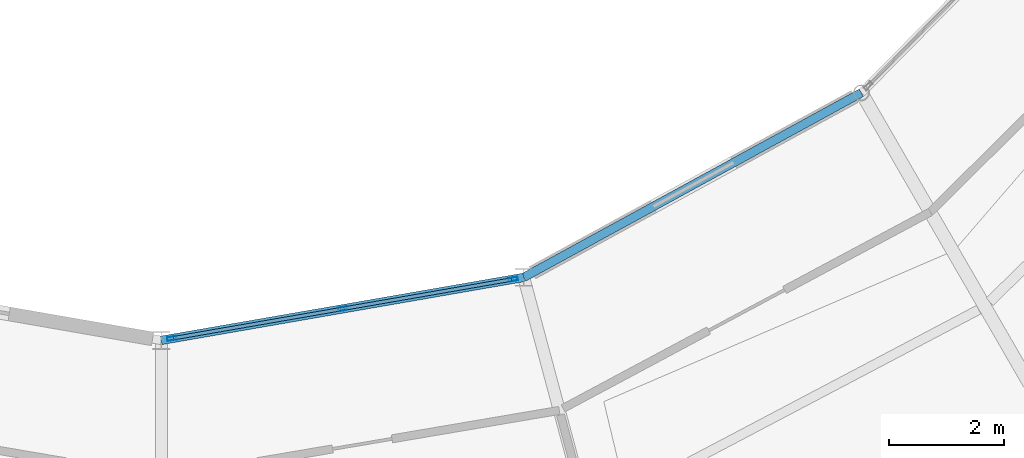
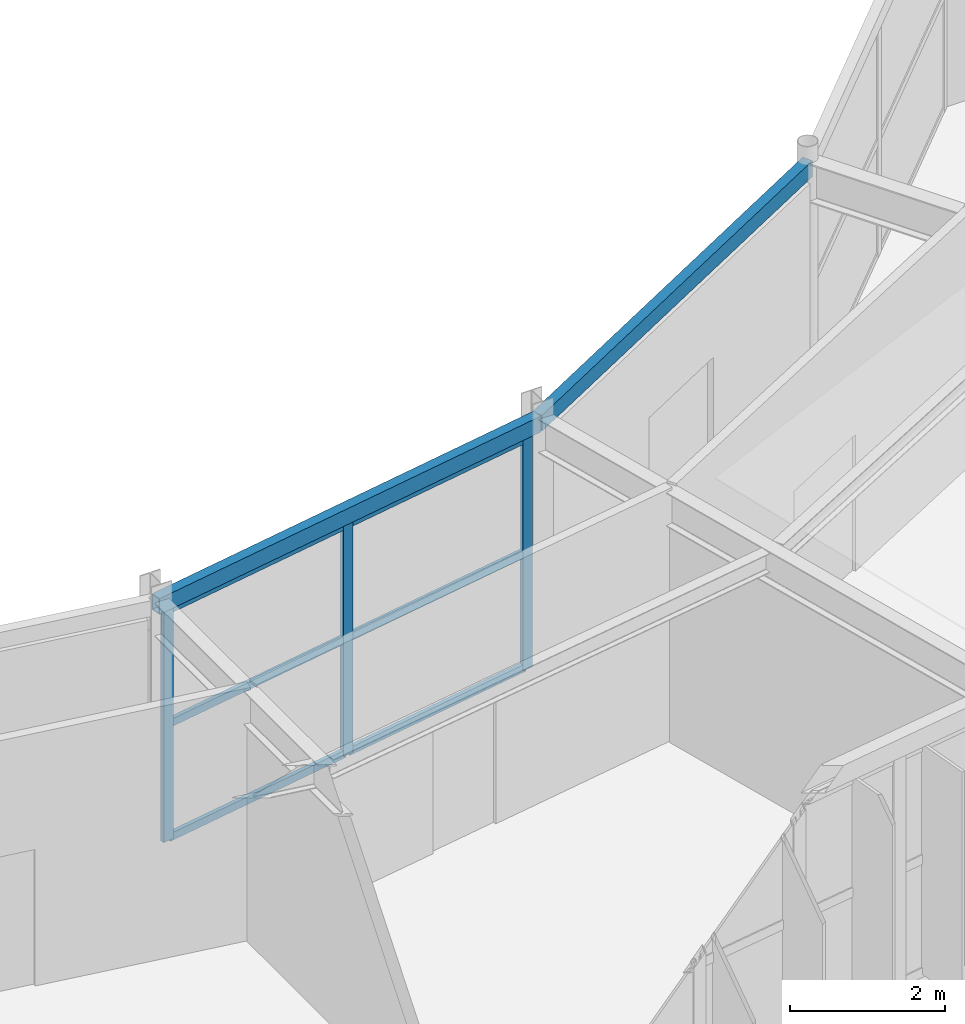
# One storey, part 50 of 148: 9 members, 2 beams, 1 element without a shape of its own.
"""IFC4 building model written with IfcOpenShell, lengths in metres."""

from ifc_helpers import new_model, si_unit, direction, frame, origin, origin_2d, place, context, subcontext, project, spatial, hollow_rectangle, extrude, material, material_profile, profile_set, type_object, element, aggregate, save


model = new_model("IFC4")

# Units and contexts
model_context = context("Model", 3, precision=1e-05, world=origin(), true_north=direction((0.0, 1.0)))
body_context = subcontext(model_context, "Body", "Model", "MODEL_VIEW")
ifc_project = project(units=[si_unit("LENGTHUNIT", "METRE"), si_unit("AREAUNIT", "SQUARE_METRE"), si_unit("VOLUMEUNIT", "CUBIC_METRE"), si_unit("PLANEANGLEUNIT", "RADIAN"), si_unit("MASSUNIT", "GRAM", prefix="KILO")], contexts=[model_context])

# Site, building, storey
site_placement = place(None, origin())
site = spatial("IfcSite", under=ifc_project, at=site_placement, CompositionType="ELEMENT")
building_placement = place(site_placement, origin())
building = spatial("IfcBuilding", under=site, at=building_placement, Name="Karori Crest Natural Sciences Institute", CompositionType="ELEMENT")
storey_placement = place(building_placement, frame((0.0, 0.0, 4.89990234375)))
storey = spatial("IfcBuildingStorey", under=building, at=storey_placement, Name="L01", CompositionType="ELEMENT", Elevation=4.89990234375)

# Beams
ifc_material_1 = material(Name="Hollow structural steel AS/NZS 1163 Grade C350", Category="steel")
ifc_material_profile_1 = material_profile(ifc_material_1, hollow_rectangle(XDim=0.14990234375, YDim=0.25, WallThickness=0.009033203125, at=origin_2d()), Name="RHS250x150x9")
ifc_profile_set_1 = profile_set([ifc_material_profile_1], Name="Hollow structural steel AS/NZS 1163 Grade C350")
beam_type = type_object("IfcBeamType", Name="BT-16", PredefinedType="SPANDREL", material=ifc_profile_set_1)
beam_1_placement = place(storey_placement, frame((66.39990234375, 17.699951171875, 3.7900390625), z_axis=(0.985241372425, 0.17117078624, 0.0), x_axis=(-0.17117078624, 0.985241372425, 0.0)))
element("IfcBeam", 1, at=beam_1_placement, inside=storey, type_object=beam_type, Name="Beam B-0249", PredefinedType="SPANDREL", context=body_context, shape_type="SweptSolid", body=[
    extrude(hollow_rectangle(XDim=0.14990234375, YDim=0.25, WallThickness=0.009033203125, at=origin_2d()), origin(), (0.0, 0.0, 1.0), 6.40966796875),
])
beam_2_placement = place(storey_placement, frame((72.715087890625, 18.797119140625, 3.7900390625), z_axis=(0.877469531616, 0.47963238119, 0.0), x_axis=(-0.47963238119, 0.877469531616, 0.0)))
element("IfcBeam", 2, at=beam_2_placement, inside=storey, type_object=beam_type, Name="Beam B-0253", PredefinedType="SPANDREL", context=body_context, shape_type="SweptSolid", body=[
    extrude(hollow_rectangle(XDim=0.14990234375, YDim=0.25, WallThickness=0.009033203125, at=origin_2d()), origin(), (0.0, 0.0, 1.0), 6.706787109375),
])

# Curtain wall, members
ifc_material_2 = material(Name="Anodised architectural aluminium 6063-T6", Category="aluminium")
curtain_wall_type = type_object("IfcCurtainWallType", Name="CWT-14", PredefinedType="NOTDEFINED", material=ifc_material_2)
curtain_wall_placement = place(storey_placement, origin())
curtain_wall = element("IfcCurtainWall", 3, at=curtain_wall_placement, inside=storey, type_object=curtain_wall_type, Name="Curtain wall CW-0057", PredefinedType="NOTDEFINED")
ifc_material_profile_2 = material_profile(ifc_material_2, hollow_rectangle(XDim=0.06494140625, YDim=0.159912109375, WallThickness=0.00390625, at=origin_2d()), Name="CWM160x65x4")
ifc_profile_set_2 = profile_set([ifc_material_profile_2], Name="Anodised architectural aluminium 6063-T6")
member_type_1 = type_object("IfcMemberType", Name="CWM-01", PredefinedType="MULLION", material=ifc_profile_set_2)
member_1_placement = place(storey_placement, frame((66.58349609375, 17.73193359375, 0.0), z_axis=(0.0, 0.0, 1.0), x_axis=(-0.171170381048, 0.985241442821, 0.0)))
member_1 = element("IfcMember", 4, at=member_1_placement, type_object=member_type_1, Name="CW-0057 mullion 1", PredefinedType="MULLION", context=body_context, shape_type="SweptSolid", body=[
    extrude(hollow_rectangle(XDim=0.06494140625, YDim=0.159912109375, WallThickness=0.00390625, at=origin_2d()), origin(), (0.0, 0.0, 1.0), 3.650146484375),
])
member_2_placement = place(storey_placement, frame((69.55810546875, 18.24853515625, 0.0), z_axis=(0.0, 0.0, 1.0), x_axis=(-0.171170381048, 0.985241442821, 0.0)))
member_2 = element("IfcMember", 5, at=member_2_placement, type_object=member_type_1, Name="CW-0057 mullion 2", PredefinedType="MULLION", context=body_context, shape_type="SweptSolid", body=[
    extrude(hollow_rectangle(XDim=0.06494140625, YDim=0.159912109375, WallThickness=0.00390625, at=origin_2d()), origin(), (0.0, 0.0, 1.0), 3.650146484375),
])
member_3_placement = place(storey_placement, frame((72.53271484375, 18.765380859375, 0.0), z_axis=(0.0, 0.0, 1.0), x_axis=(-0.171170381048, 0.985241442821, 0.0)))
member_3 = element("IfcMember", 6, at=member_3_placement, type_object=member_type_1, Name="CW-0057 mullion 3", PredefinedType="MULLION", context=body_context, shape_type="SweptSolid", body=[
    extrude(hollow_rectangle(XDim=0.06494140625, YDim=0.159912109375, WallThickness=0.00390625, at=origin_2d()), origin(), (0.0, 0.0, 1.0), 3.650146484375),
])
ifc_material_profile_3 = material_profile(ifc_material_2, hollow_rectangle(XDim=0.06005859375, YDim=0.1201171875, WallThickness=0.00390625, at=origin_2d()), Name="CWT120x60x4")
ifc_profile_set_3 = profile_set([ifc_material_profile_3], Name="Anodised architectural aluminium 6063-T6")
member_type_2 = type_object("IfcMemberType", Name="CWT-TR1", PredefinedType="USERDEFINED", material=ifc_profile_set_3)
member_4_placement = place(storey_placement, frame((66.615478515625, 17.7373046875, 0.030029296875), z_axis=(0.985231157469, 0.171229572075, 0.0), x_axis=(-0.171229572075, 0.985231157469, 0.0)))
member_4 = element("IfcMember", 7, at=member_4_placement, type_object=member_type_2, Name="CW-0057 transom 1.1", ObjectType="TRANSOM", PredefinedType="USERDEFINED", context=body_context, shape_type="SweptSolid", body=[
    extrude(hollow_rectangle(XDim=0.06005859375, YDim=0.1201171875, WallThickness=0.00390625, at=origin_2d()), origin(), (0.0, 0.0, 1.0), 2.954345703125),
])
member_5_placement = place(storey_placement, frame((66.615478515625, 17.7373046875, 1.8251953125), z_axis=(0.985231157469, 0.171229572075, 0.0), x_axis=(-0.171229572075, 0.985231157469, 0.0)))
member_5 = element("IfcMember", 8, at=member_5_placement, type_object=member_type_2, Name="CW-0057 transom 1.2", ObjectType="TRANSOM", PredefinedType="USERDEFINED", context=body_context, shape_type="SweptSolid", body=[
    extrude(hollow_rectangle(XDim=0.06005859375, YDim=0.1201171875, WallThickness=0.00390625, at=origin_2d()), origin(), (0.0, 0.0, 1.0), 2.954345703125),
])
member_6_placement = place(storey_placement, frame((66.615478515625, 17.7373046875, 3.6201171875), z_axis=(0.985231157469, 0.171229572075, 0.0), x_axis=(-0.171229572075, 0.985231157469, 0.0)))
member_6 = element("IfcMember", 9, at=member_6_placement, type_object=member_type_2, Name="CW-0057 transom 1.3", ObjectType="TRANSOM", PredefinedType="USERDEFINED", context=body_context, shape_type="SweptSolid", body=[
    extrude(hollow_rectangle(XDim=0.06005859375, YDim=0.1201171875, WallThickness=0.00390625, at=origin_2d()), origin(), (0.0, 0.0, 1.0), 2.954345703125),
])
member_7_placement = place(storey_placement, frame((69.590087890625, 18.254150390625, 0.030029296875), z_axis=(0.985245095786, 0.171149353579, 0.0), x_axis=(-0.171149353579, 0.985245095786, 0.0)))
member_7 = element("IfcMember", 10, at=member_7_placement, type_object=member_type_2, Name="CW-0057 transom 2.1", ObjectType="TRANSOM", PredefinedType="USERDEFINED", context=body_context, shape_type="SweptSolid", body=[
    extrude(hollow_rectangle(XDim=0.06005859375, YDim=0.1201171875, WallThickness=0.00390625, at=origin_2d()), origin(), (0.0, 0.0, 1.0), 2.954345703125),
])
member_8_placement = place(storey_placement, frame((69.590087890625, 18.254150390625, 1.8251953125), z_axis=(0.985245095786, 0.171149353579, 0.0), x_axis=(-0.171149353579, 0.985245095786, 0.0)))
member_8 = element("IfcMember", 11, at=member_8_placement, type_object=member_type_2, Name="CW-0057 transom 2.2", ObjectType="TRANSOM", PredefinedType="USERDEFINED", context=body_context, shape_type="SweptSolid", body=[
    extrude(hollow_rectangle(XDim=0.06005859375, YDim=0.1201171875, WallThickness=0.00390625, at=origin_2d()), origin(), (0.0, 0.0, 1.0), 2.954345703125),
])
member_9_placement = place(storey_placement, frame((69.590087890625, 18.254150390625, 3.6201171875), z_axis=(0.985245095786, 0.171149353579, 0.0), x_axis=(-0.171149353579, 0.985245095786, 0.0)))
member_9 = element("IfcMember", 12, at=member_9_placement, type_object=member_type_2, Name="CW-0057 transom 2.3", ObjectType="TRANSOM", PredefinedType="USERDEFINED", context=body_context, shape_type="SweptSolid", body=[
    extrude(hollow_rectangle(XDim=0.06005859375, YDim=0.1201171875, WallThickness=0.00390625, at=origin_2d()), origin(), (0.0, 0.0, 1.0), 2.954345703125),
])
aggregate(curtain_wall, [member_1, member_2, member_3, member_4, member_5, member_6, member_7, member_8, member_9])

save(model, "model.ifc")
